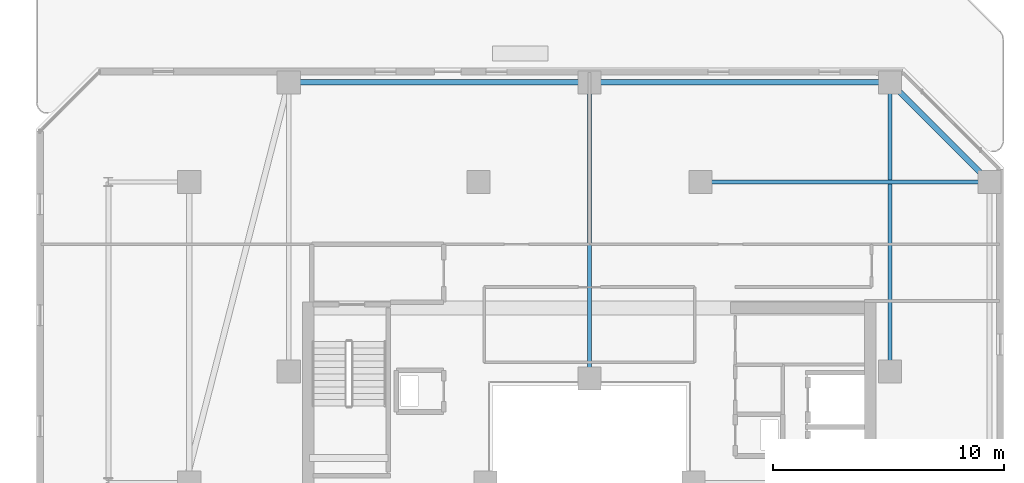
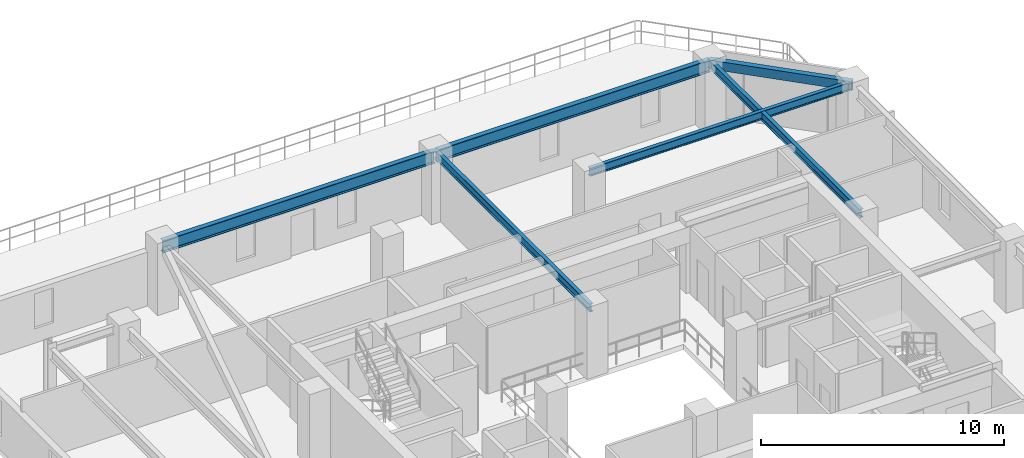
# One storey, part 17 of 32: 6 beams.
"""IFC4 building model written with IfcOpenShell, lengths in metres."""

from ifc_helpers import new_model, si_unit, direction, frame, origin, origin_2d, place, context, subcontext, project, spatial, hollow_rectangle, i_section, extrude, material, material_profile, profile_set, type_object, element, save


model = new_model("IFC4")

# Units and contexts
model_context = context("Model", 3, precision=1e-05, world=origin(), true_north=direction((0.0, 1.0)))
body_context = subcontext(model_context, "Body", "Model", "MODEL_VIEW")
ifc_project = project(units=[si_unit("LENGTHUNIT", "METRE"), si_unit("AREAUNIT", "SQUARE_METRE"), si_unit("VOLUMEUNIT", "CUBIC_METRE"), si_unit("PLANEANGLEUNIT", "RADIAN"), si_unit("MASSUNIT", "GRAM", prefix="KILO")], contexts=[model_context])

# Site, building, storey
site_placement = place(None, origin())
site = spatial("IfcSite", under=ifc_project, at=site_placement, CompositionType="ELEMENT")
building_placement = place(site_placement, origin())
building = spatial("IfcBuilding", under=site, at=building_placement, Name="Thornwick Lancets Civic Towers", CompositionType="ELEMENT")
storey_placement = place(building_placement, frame((0.0, 0.0, 200.10009765625)))
storey = spatial("IfcBuildingStorey", under=building, at=storey_placement, Name="L53", CompositionType="ELEMENT", Elevation=200.10009765625)

# Beams
ifc_material = material(Name="Steel S355JR", Category="steel")
ifc_material_profile_1 = material_profile(ifc_material, i_section(OverallWidth=0.230224609375, OverallDepth=0.6171875, WebThickness=0.01318359375, FlangeThickness=0.022216796875, FilletRadius=0.0126953125, at=origin_2d()), Name="UKB 610x229x140")
ifc_profile_set_1 = profile_set([ifc_material_profile_1], Name="Steel S355JR")
beam_type_1 = type_object("IfcBeamType", Name="BM_GIRD_610_140", PredefinedType="BEAM", material=ifc_profile_set_1)
beam_1_placement = place(storey_placement, frame((101.5, 44.300048828125, 3.03125), z_axis=(-1.0, 0.0, 0.0), x_axis=(0.0, -1.0, 0.0)))
element("IfcBeam", 1, at=beam_1_placement, inside=storey, type_object=beam_type_1, Name="BM-SPINE-L53-B-3-4", PredefinedType="BEAM", context=body_context, shape_type="SweptSolid", body=[
    extrude(i_section(OverallWidth=0.230224609375, OverallDepth=0.6171875, WebThickness=0.01318359375, FlangeThickness=0.022216796875, FilletRadius=0.0126953125, at=origin_2d()), origin(), (0.0, 0.0, 1.0), 13.0),
])
beam_2_placement = place(storey_placement, frame((88.419921875, 44.300048828125, 3.03125), z_axis=(-1.0, 0.0, 0.0), x_axis=(0.0, -1.0, 0.0)))
element("IfcBeam", 2, at=beam_2_placement, inside=storey, type_object=beam_type_1, Name="BM-SPINE-L53-B-4-5", PredefinedType="BEAM", context=body_context, shape_type="SweptSolid", body=[
    extrude(i_section(OverallWidth=0.230224609375, OverallDepth=0.6171875, WebThickness=0.01318359375, FlangeThickness=0.022216796875, FilletRadius=0.0126953125, at=origin_2d()), origin(), (0.0, 0.0, 1.0), 12.919921875),
])
ifc_material_profile_2 = material_profile(ifc_material, i_section(OverallWidth=0.179443359375, OverallDepth=0.412841796875, WebThickness=0.009521484375, FlangeThickness=0.01611328125, FilletRadius=0.01025390625, at=origin_2d()), Name="UKB 406x178x74")
ifc_profile_set_2 = profile_set([ifc_material_profile_2], Name="Steel S355JR")
beam_type_2 = type_object("IfcBeamType", Name="BM_JOIST_406_74", PredefinedType="JOIST", material=ifc_profile_set_2)
for number, where, z_axis, x_axis, name in (
    (3, (93.300048828125, 40.0, 3.133544921875), (1.0, 0.0, 0.0), (0.0, 1.0, 0.0), "BM-RADIN-L53-B03"),
    (4, (101.5, 31.800048828125, 3.133544921875), (0.0, 1.0, 0.0), (-1.0, 0.0, 0.0), "BM-RADIN-L53-B04"),
):
    element("IfcBeam", number, at=place(storey_placement, frame(where, z_axis=z_axis, x_axis=x_axis)), inside=storey, type_object=beam_type_2, Name=name, PredefinedType="JOIST", context=body_context, shape_type="SweptSolid", body=[
        extrude(i_section(OverallWidth=0.179443359375, OverallDepth=0.412841796875, WebThickness=0.009521484375, FlangeThickness=0.01611328125, FilletRadius=0.01025390625, at=origin_2d()), origin(), (0.0, 0.0, 1.0), 12.5),
    ])
beam_3_placement = place(storey_placement, frame((88.5, 31.5, 3.133544921875), z_axis=(0.0, 1.0, 0.0), x_axis=(-1.0, 0.0, 0.0)))
element("IfcBeam", 5, at=beam_3_placement, inside=storey, type_object=beam_type_2, Name="BM-RADIN-L53-B05", PredefinedType="JOIST", context=body_context, shape_type="SweptSolid", body=[
    extrude(i_section(OverallWidth=0.179443359375, OverallDepth=0.412841796875, WebThickness=0.009521484375, FlangeThickness=0.01611328125, FilletRadius=0.01025390625, at=origin_2d()), origin(), (0.0, 0.0, 1.0), 12.800048828125),
])
ifc_material_profile_3 = material_profile(ifc_material, hollow_rectangle(XDim=0.25, YDim=0.449951171875, WallThickness=0.01611328125, at=origin_2d()), Name="RHS 450x250x16")
ifc_profile_set_3 = profile_set([ifc_material_profile_3], Name="Steel S355JR")
beam_type_3 = type_object("IfcBeamType", Name="BM_RING_RHS450", PredefinedType="BEAM", material=ifc_profile_set_3)
beam_4_placement = place(storey_placement, frame((105.800048828125, 40.0, 3.114990234375), z_axis=(-0.707106781187, 0.707106781187, 0.0), x_axis=(-0.707106781187, -0.707106781187, 0.0)))
element("IfcBeam", 6, at=beam_4_placement, inside=storey, type_object=beam_type_3, Name="BM-CHAMF-L53-B-C0", PredefinedType="BEAM", context=body_context, shape_type="SweptSolid", body=[
    extrude(hollow_rectangle(XDim=0.25, YDim=0.449951171875, WallThickness=0.01611328125, at=origin_2d()), origin(), (0.0, 0.0, 1.0), 6.081298828125),
])

save(model, "model.ifc")
